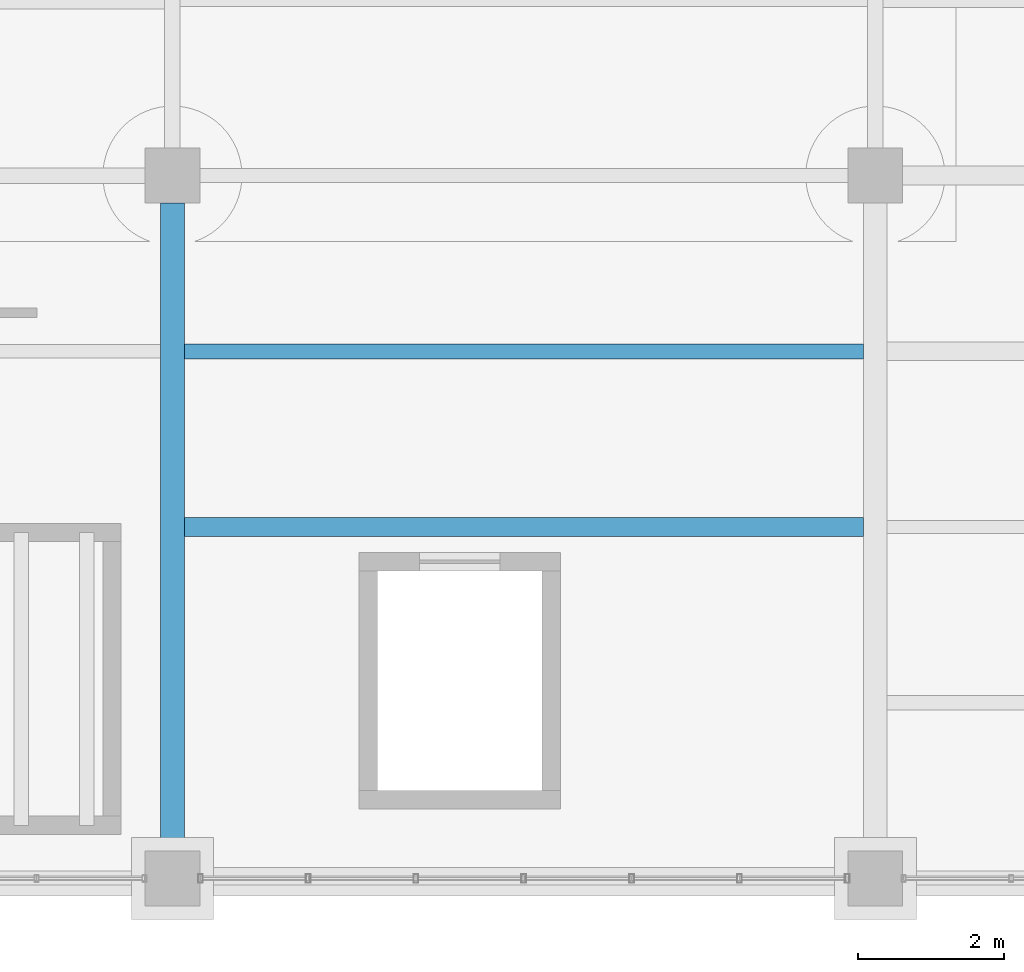
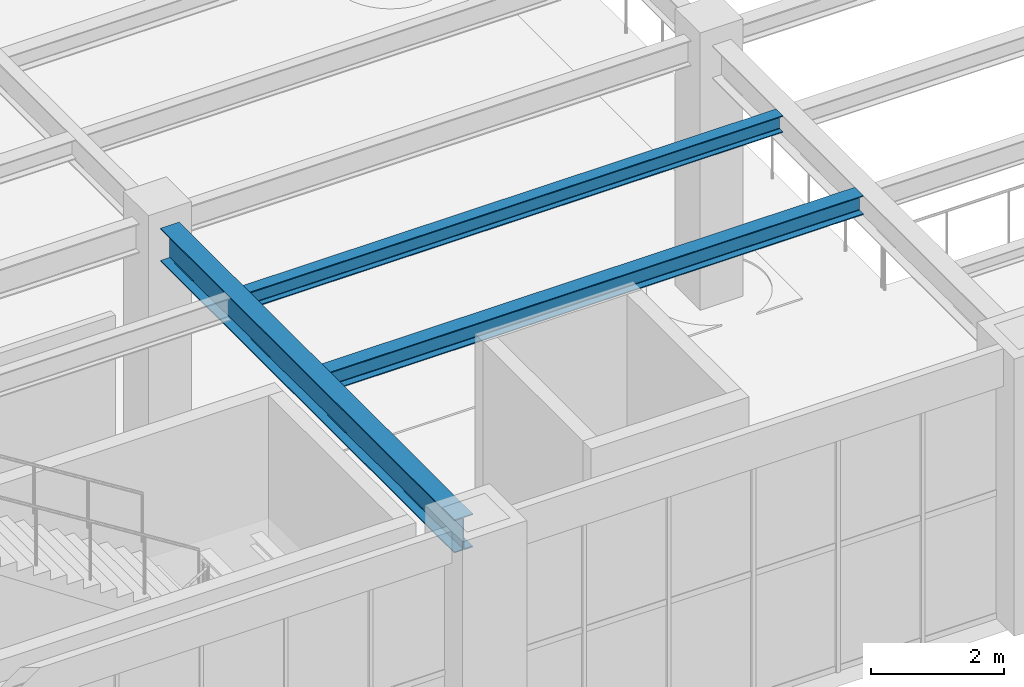
# One storey, part 7 of 174: 3 beams.
"""IFC4 building model written with IfcOpenShell, lengths in metres."""

from ifc_helpers import new_model, si_unit, direction, frame, origin, origin_2d, place, context, subcontext, project, spatial, i_section, extrude, material, material_profile, profile_set, type_object, element, save


model = new_model("IFC4")

# Units and contexts
model_context = context("Model", 3, precision=1e-05, world=origin(), true_north=direction((0.0, 1.0)))
body_context = subcontext(model_context, "Body", "Model", "MODEL_VIEW")
ifc_project = project(units=[si_unit("LENGTHUNIT", "METRE"), si_unit("AREAUNIT", "SQUARE_METRE"), si_unit("VOLUMEUNIT", "CUBIC_METRE"), si_unit("PLANEANGLEUNIT", "RADIAN"), si_unit("MASSUNIT", "GRAM", prefix="KILO")], contexts=[model_context])

# Site, building, storey
site_placement = place(None, origin())
site = spatial("IfcSite", under=ifc_project, at=site_placement, CompositionType="ELEMENT")
building_placement = place(site_placement, origin())
building = spatial("IfcBuilding", under=site, at=building_placement, Name="Mavantir Sound Aquarium", CompositionType="ELEMENT")
storey_placement = place(building_placement, frame((0.0, 0.0, 5.39990234375)))
storey = spatial("IfcBuildingStorey", under=building, at=storey_placement, Name="L01", CompositionType="ELEMENT", Elevation=5.39990234375)

# Beams
ifc_material = material(Name="Structural Steel ASTM A992 Gr50", Category="steel")
ifc_material_profile_1 = material_profile(ifc_material, i_section(OverallWidth=0.205078125, OverallDepth=0.31005859375, WebThickness=0.009521484375, FlangeThickness=0.016357421875, FilletRadius=0.012939453125, at=origin_2d()), Name="W310X74")
ifc_profile_set_1 = profile_set([ifc_material_profile_1], Name="Structural Steel ASTM A992 Gr50")
beam_type_1 = type_object("IfcBeamType", Name="BM-W310X74-I", PredefinedType="JOIST", material=ifc_profile_set_1)
beam_1_placement = place(storey_placement, frame((9.761962890625, 7.199951171875, 4.64111328125), z_axis=(1.0, 0.0, 0.0), x_axis=(0.0, 1.0, 0.0)))
element("IfcBeam", 1, at=beam_1_placement, inside=storey, type_object=beam_type_1, Name="L01 secondary floor joist SJ-31 691", PredefinedType="JOIST", context=body_context, shape_type="SweptSolid", body=[
    extrude(i_section(OverallWidth=0.205078125, OverallDepth=0.31005859375, WebThickness=0.009521484375, FlangeThickness=0.016357421875, FilletRadius=0.012939453125, at=origin_2d()), origin(), (0.0, 0.0, 1.0), 9.276123046875),
])
ifc_material_profile_2 = material_profile(ifc_material, i_section(OverallWidth=0.25390625, OverallDepth=0.35302734375, WebThickness=0.009521484375, FlangeThickness=0.016357421875, FilletRadius=0.014892578125, at=origin_2d()), Name="W360X91")
ifc_profile_set_2 = profile_set([ifc_material_profile_2], Name="Structural Steel ASTM A992 Gr50")
beam_type_2 = type_object("IfcBeamType", Name="BM-W360X91-I", PredefinedType="JOIST", material=ifc_profile_set_2)
beam_2_placement = place(storey_placement, frame((9.761962890625, 4.800048828125, 4.61962890625), z_axis=(1.0, 0.0, 0.0), x_axis=(0.0, 1.0, 0.0)))
element("IfcBeam", 2, at=beam_2_placement, inside=storey, type_object=beam_type_2, Name="L01 secondary floor joist SJ-36 690", PredefinedType="JOIST", context=body_context, shape_type="SweptSolid", body=[
    extrude(i_section(OverallWidth=0.25390625, OverallDepth=0.35302734375, WebThickness=0.009521484375, FlangeThickness=0.016357421875, FilletRadius=0.014892578125, at=origin_2d()), origin(), (0.0, 0.0, 1.0), 9.276123046875),
])
ifc_material_profile_3 = material_profile(ifc_material, i_section(OverallWidth=0.323974609375, OverallDepth=0.611083984375, WebThickness=0.0126953125, FlangeThickness=0.01904296875, FilletRadius=0.01904296875, at=origin_2d()), Name="W610X155")
ifc_profile_set_3 = profile_set([ifc_material_profile_3], Name="Structural Steel ASTM A992 Gr50")
beam_type_3 = type_object("IfcBeamType", Name="BM-W610X155-I", PredefinedType="BEAM", material=ifc_profile_set_3)
beam_3_placement = place(storey_placement, frame((9.60009765625, 0.375, 4.490478515625), z_axis=(0.0, 1.0, 0.0), x_axis=(-1.0, 0.0, 0.0)))
element("IfcBeam", 3, at=beam_3_placement, inside=storey, type_object=beam_type_3, Name="L01 primary girder SB-61A 1225", PredefinedType="BEAM", context=body_context, shape_type="SweptSolid", body=[
    extrude(i_section(OverallWidth=0.323974609375, OverallDepth=0.611083984375, WebThickness=0.0126953125, FlangeThickness=0.01904296875, FilletRadius=0.01904296875, at=origin_2d()), origin(), (0.0, 0.0, 1.0), 8.85009765625),
])

save(model, "model.ifc")
